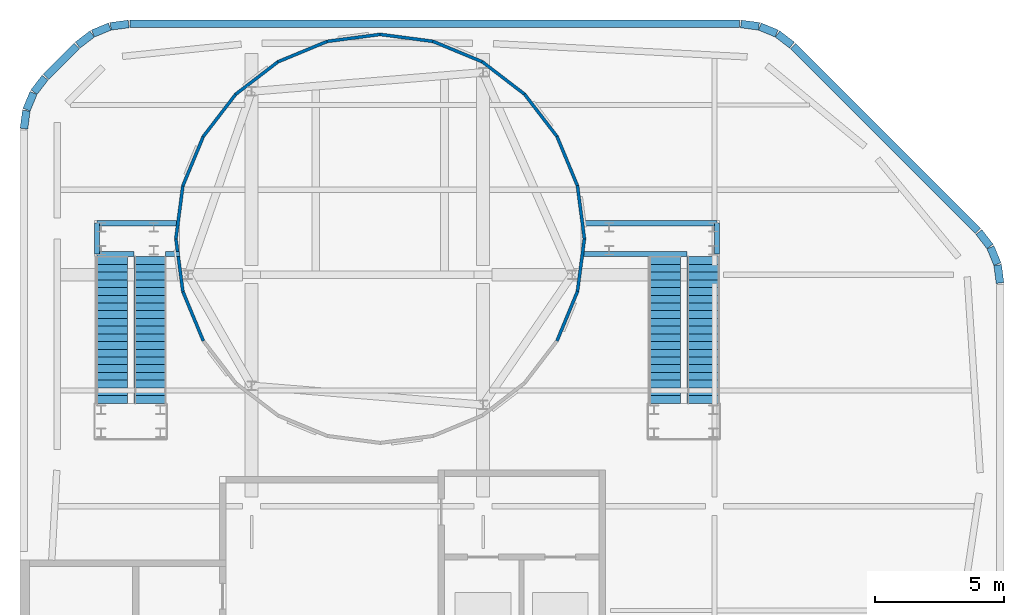
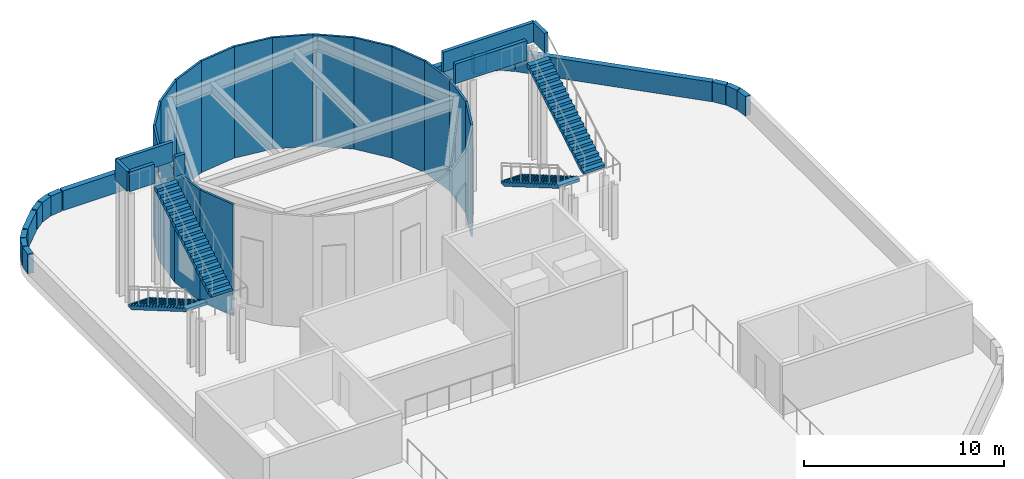
# One storey, part 4 of 6: 38 walls, 4 stair flights, 2 elements without a shape of their own.
"""IFC4 building model written with IfcOpenShell, lengths in metres."""

from ifc_helpers import new_model, si_unit, direction, frame, frame_2d, origin, place, context, subcontext, project, spatial, polyline, rectangle, outline, extrude, material, layer, layer_set, type_object, element, aggregate, save


model = new_model("IFC4")

# Units and contexts
model_context = context("Model", 3, precision=1e-05, world=origin(), true_north=direction((0.0, 1.0)))
body_context = subcontext(model_context, "Body", "Model", "MODEL_VIEW")
ifc_project = project(units=[si_unit("LENGTHUNIT", "METRE"), si_unit("AREAUNIT", "SQUARE_METRE"), si_unit("VOLUMEUNIT", "CUBIC_METRE"), si_unit("PLANEANGLEUNIT", "RADIAN"), si_unit("MASSUNIT", "GRAM", prefix="KILO")], contexts=[model_context])

# Site, building, storey
site_placement = place(None, origin())
site = spatial("IfcSite", under=ifc_project, at=site_placement, CompositionType="ELEMENT")
building_placement = place(site_placement, origin())
building = spatial("IfcBuilding", under=site, at=building_placement, Name="Cinnabar Reach Civic Tower", CompositionType="ELEMENT")
storey_placement = place(building_placement, frame((0.0, 0.0, 298.0)))
storey = spatial("IfcBuildingStorey", under=building, at=storey_placement, Name="Roof", CompositionType="ELEMENT", Elevation=298.0)

# Walls
ifc_material_1 = material(Name="Facing brick with insulated backing", Category="masonry")
ifc_layer_1 = layer(ifc_material_1, 0.3)
ifc_layer_set_1 = layer_set([ifc_layer_1], Name="Facade brick parapet")
wall_type_1 = type_object("IfcWallType", Name="Facade brick parapet", PredefinedType="PARAPET", material=ifc_layer_set_1)
wall_1_placement = place(storey_placement, frame((38.0961, 52.7774, 0.0), z_axis=(0.0, 0.0, 1.0), x_axis=(-0.130542796312, 0.991442675262, 0.0)))
element("IfcWall", 1, at=wall_1_placement, inside=storey, type_object=wall_type_1, Name="Brick parapet", PredefinedType="PARAPET", context=body_context, shape_type="SweptSolid", body=[
    extrude(rectangle(XDim=0.7032, YDim=0.3, at=frame_2d((0.3516, 0.0))), origin(), (0.0, 0.0, 1.0), 1.2),
])
for number, where, z_axis, x_axis, name in (
    (2, (37.9939, 53.5134, 0.0), (0.0, 0.0, 1.0), (-0.382716050285, 0.923866021052, 0.0), "Brick parapet"),
    (3, (37.7047, 54.1978, 0.0), (0.0, 0.0, 1.0), (-0.60874800617, 0.793363639817, 0.0), "Brick parapet"),
):
    element("IfcWall", number, at=place(storey_placement, frame(where, z_axis=z_axis, x_axis=x_axis)), inside=storey, type_object=wall_type_1, Name=name, PredefinedType="PARAPET", context=body_context, shape_type="SweptSolid", body=[
        extrude(rectangle(XDim=0.7031, YDim=0.3, at=frame_2d((0.3515, 0.0))), origin(), (0.0, 0.0, 1.0), 1.2),
    ])
wall_2_placement = place(storey_placement, frame((37.237, 54.8009, 0.0), z_axis=(0.0, 0.0, 1.0), x_axis=(-0.707106781187, 0.707106781187, 0.0)))
element("IfcWall", 4, at=wall_2_placement, inside=storey, type_object=wall_type_1, Name="Brick parapet", PredefinedType="PARAPET", context=body_context, shape_type="SweptSolid", body=[
    extrude(rectangle(XDim=10.1627, YDim=0.3, at=frame_2d((5.0813, 0.0))), origin(), (0.0, 0.0, 1.0), 1.2),
])
for number, where, z_axis, x_axis, name in (
    (5, (30.0056, 62.0267, 0.0), (0.0, 0.0, 1.0), (-0.793363639817, 0.60874800617, 0.0), "Brick parapet"),
    (6, (29.413, 62.4748, 0.0), (0.0, 0.0, 1.0), (-0.923866021052, 0.382716050285, 0.0), "Brick parapet"),
):
    element("IfcWall", number, at=place(storey_placement, frame(where, z_axis=z_axis, x_axis=x_axis)), inside=storey, type_object=wall_type_1, Name=name, PredefinedType="PARAPET", context=body_context, shape_type="SweptSolid", body=[
        extrude(rectangle(XDim=0.7031, YDim=0.3, at=frame_2d((0.3515, 0.0))), origin(), (0.0, 0.0, 1.0), 1.2),
    ])
wall_3_placement = place(storey_placement, frame((28.7246, 62.7543, 0.0), z_axis=(0.0, 0.0, 1.0), x_axis=(-0.991442675262, 0.130542796312, 0.0)))
element("IfcWall", 7, at=wall_3_placement, inside=storey, type_object=wall_type_1, Name="Brick parapet", PredefinedType="PARAPET", context=body_context, shape_type="SweptSolid", body=[
    extrude(rectangle(XDim=0.7032, YDim=0.3, at=frame_2d((0.3516, 0.0))), origin(), (0.0, 0.0, 1.0), 1.2),
])
wall_4_placement = place(storey_placement, frame((27.9674, 62.85, 0.0), z_axis=(0.0, 0.0, 1.0), x_axis=(-1.0, 0.0, 0.0)))
element("IfcWall", 8, at=wall_4_placement, inside=storey, type_object=wall_type_1, Name="Brick parapet", PredefinedType="PARAPET", context=body_context, shape_type="SweptSolid", body=[
    extrude(rectangle(XDim=23.6848, YDim=0.3, at=frame_2d((11.8424, 0.0))), origin(), (0.0, 0.0, 1.0), 1.2),
])
wall_5_placement = place(storey_placement, frame((4.2226, 62.8461, 0.0), z_axis=(0.0, 0.0, 1.0), x_axis=(-0.991442675262, -0.130542796312, 0.0)))
element("IfcWall", 9, at=wall_5_placement, inside=storey, type_object=wall_type_1, Name="Brick parapet", PredefinedType="PARAPET", context=body_context, shape_type="SweptSolid", body=[
    extrude(rectangle(XDim=0.7032, YDim=0.3, at=frame_2d((0.3516, 0.0))), origin(), (0.0, 0.0, 1.0), 1.2),
])
for number, where, z_axis, x_axis, name in (
    (10, (3.4866, 62.7439, 0.0), (0.0, 0.0, 1.0), (-0.923866021052, -0.382716050285, 0.0), "Brick parapet"),
    (11, (2.8022, 62.4547, 0.0), (0.0, 0.0, 1.0), (-0.793363639817, -0.60874800617, 0.0), "Brick parapet"),
):
    element("IfcWall", number, at=place(storey_placement, frame(where, z_axis=z_axis, x_axis=x_axis)), inside=storey, type_object=wall_type_1, Name=name, PredefinedType="PARAPET", context=body_context, shape_type="SweptSolid", body=[
        extrude(rectangle(XDim=0.7031, YDim=0.3, at=frame_2d((0.3515, 0.0))), origin(), (0.0, 0.0, 1.0), 1.2),
    ])
wall_6_placement = place(storey_placement, frame((2.1991, 61.987, 0.0), z_axis=(0.0, 0.0, 1.0), x_axis=(-0.707106781187, -0.707106781187, 0.0)))
element("IfcWall", 12, at=wall_6_placement, inside=storey, type_object=wall_type_1, Name="Brick parapet", PredefinedType="PARAPET", context=body_context, shape_type="SweptSolid", body=[
    extrude(rectangle(XDim=1.6774, YDim=0.3, at=frame_2d((0.8387, 0.0))), origin(), (0.0, 0.0, 1.0), 1.2),
])
for number, where, z_axis, x_axis, name in (
    (13, (0.9733, 60.7556, 0.0), (0.0, 0.0, 1.0), (-0.60874800617, -0.793363639817, 0.0), "Brick parapet"),
    (14, (0.5252, 60.163, 0.0), (0.0, 0.0, 1.0), (-0.382716050285, -0.923866021052, 0.0), "Brick parapet"),
):
    element("IfcWall", number, at=place(storey_placement, frame(where, z_axis=z_axis, x_axis=x_axis)), inside=storey, type_object=wall_type_1, Name=name, PredefinedType="PARAPET", context=body_context, shape_type="SweptSolid", body=[
        extrude(rectangle(XDim=0.7031, YDim=0.3, at=frame_2d((0.3515, 0.0))), origin(), (0.0, 0.0, 1.0), 1.2),
    ])
wall_7_placement = place(storey_placement, frame((0.2457, 59.4746, 0.0), z_axis=(0.0, 0.0, 1.0), x_axis=(-0.130542796312, -0.991442675262, 0.0)))
element("IfcWall", 15, at=wall_7_placement, inside=storey, type_object=wall_type_1, Name="Brick parapet", PredefinedType="PARAPET", context=body_context, shape_type="SweptSolid", body=[
    extrude(rectangle(XDim=0.7032, YDim=0.3, at=frame_2d((0.3516, 0.0))), origin(), (0.0, 0.0, 1.0), 1.2),
])
ifc_material_2 = material(Name="Aluminium rainscreen cladding", Category="aluminium")
ifc_layer_2 = layer(ifc_material_2, 0.12)
ifc_layer_set_2 = layer_set([ifc_layer_2], Name="Facade plant drum cladding")
wall_type_2 = type_object("IfcWallType", Name="Facade plant drum cladding", PredefinedType="STANDARD", material=ifc_layer_set_2)
for number, where, z_axis, x_axis, name in (
    (16, (21.9405, 54.4922, 0.0), (0.0, 0.0, 1.0), (-0.130532548224, 0.991444024569, 0.0), "Plant drum cladding"),
    (17, (21.672, 56.5476, 0.0), (0.0, 0.0, 1.0), (-0.382690116001, 0.92387676403, 0.0), "Plant drum cladding"),
):
    element("IfcWall", number, at=place(storey_placement, frame(where, z_axis=z_axis, x_axis=x_axis)), inside=storey, type_object=wall_type_2, Name=name, PredefinedType="STANDARD", context=body_context, shape_type="SweptSolid", body=[
        extrude(rectangle(XDim=2.0884, YDim=0.12, at=frame_2d((1.0442, 0.0))), origin(), (0.0, 0.0, 1.0), 6.8),
    ])
for number, where, z_axis, x_axis, name in (
    (18, (20.8806, 58.4635, 0.0), (0.0, 0.0, 1.0), (-0.60875921267, 0.793355040943, 0.0), "Plant drum cladding"),
    (19, (19.6203, 60.1093, 0.0), (0.0, 0.0, 1.0), (-0.793355040943, 0.60875921267, 0.0), "Plant drum cladding"),
):
    element("IfcWall", number, at=place(storey_placement, frame(where, z_axis=z_axis, x_axis=x_axis)), inside=storey, type_object=wall_type_2, Name=name, PredefinedType="STANDARD", context=body_context, shape_type="SweptSolid", body=[
        extrude(rectangle(XDim=2.0883, YDim=0.12, at=frame_2d((1.0441, 0.0))), origin(), (0.0, 0.0, 1.0), 6.8),
    ])
for number, where, z_axis, x_axis, name in (
    (20, (17.977, 61.3728, 0.0), (0.0, 0.0, 1.0), (-0.92387676403, 0.382690116001, 0.0), "Plant drum cladding"),
    (21, (16.0627, 62.1679, 0.0), (0.0, 0.0, 1.0), (-0.991444024569, 0.130532548224, 0.0), "Plant drum cladding"),
    (22, (14.0078, 62.4405, 0.0), (0.0, 0.0, 1.0), (-0.991444024569, -0.130532548224, 0.0), "Plant drum cladding"),
    (23, (11.9524, 62.172, 0.0), (0.0, 0.0, 1.0), (-0.92387676403, -0.382690116001, 0.0), "Plant drum cladding"),
):
    element("IfcWall", number, at=place(storey_placement, frame(where, z_axis=z_axis, x_axis=x_axis)), inside=storey, type_object=wall_type_2, Name=name, PredefinedType="STANDARD", context=body_context, shape_type="SweptSolid", body=[
        extrude(rectangle(XDim=2.0884, YDim=0.12, at=frame_2d((1.0442, 0.0))), origin(), (0.0, 0.0, 1.0), 6.8),
    ])
for number, where, z_axis, x_axis, name in (
    (24, (10.0365, 61.3806, 0.0), (0.0, 0.0, 1.0), (-0.793355040943, -0.60875921267, 0.0), "Plant drum cladding"),
    (25, (8.3907, 60.1203, 0.0), (0.0, 0.0, 1.0), (-0.60875921267, -0.793355040943, 0.0), "Plant drum cladding"),
):
    element("IfcWall", number, at=place(storey_placement, frame(where, z_axis=z_axis, x_axis=x_axis)), inside=storey, type_object=wall_type_2, Name=name, PredefinedType="STANDARD", context=body_context, shape_type="SweptSolid", body=[
        extrude(rectangle(XDim=2.0883, YDim=0.12, at=frame_2d((1.0441, 0.0))), origin(), (0.0, 0.0, 1.0), 6.8),
    ])
for number, where, z_axis, x_axis, name in (
    (26, (7.1272, 58.477, 0.0), (0.0, 0.0, 1.0), (-0.382690116001, -0.92387676403, 0.0), "Plant drum cladding"),
    (27, (6.3321, 56.5627, 0.0), (0.0, 0.0, 1.0), (-0.130532548224, -0.991444024569, 0.0), "Plant drum cladding"),
    (28, (6.0595, 54.5078, 0.0), (0.0, 0.0, 1.0), (0.130532548224, -0.991444024569, 0.0), "Plant drum cladding"),
    (29, (6.328, 52.4524, 0.0), (0.0, 0.0, 1.0), (0.382690116001, -0.92387676403, 0.0), "Plant drum cladding"),
    (30, (20.8728, 50.523, 0.0), (0.0, 0.0, 1.0), (0.382690116001, 0.92387676403, 0.0), "Plant drum cladding"),
    (31, (21.6679, 52.4373, 0.0), (0.0, 0.0, 1.0), (0.130532548224, 0.991444024569, 0.0), "Plant drum cladding"),
):
    element("IfcWall", number, at=place(storey_placement, frame(where, z_axis=z_axis, x_axis=x_axis)), inside=storey, type_object=wall_type_2, Name=name, PredefinedType="STANDARD", context=body_context, shape_type="SweptSolid", body=[
        extrude(rectangle(XDim=2.0884, YDim=0.12, at=frame_2d((1.0442, 0.0))), origin(), (0.0, 0.0, 1.0), 6.8),
    ])
ifc_material_3 = material(Name="Concrete C40/50", Category="concrete")
ifc_layer_3 = layer(ifc_material_3, 0.2)
ifc_layer_set_3 = layer_set([ifc_layer_3], Name="T1 drum roof parapet 200")
wall_type_3 = type_object("IfcWallType", Name="T1 drum roof parapet 200", PredefinedType="PARAPET", material=ifc_layer_set_3)
wall_8_placement = place(storey_placement, frame((6.2, 55.1, 7.0), z_axis=(0.0, 0.0, 1.0), x_axis=(-1.0, 0.0, 0.0)))
element("IfcWall", 32, at=wall_8_placement, inside=storey, type_object=wall_type_3, Name="Roof top landing parapet", PredefinedType="PARAPET", context=body_context, shape_type="SweptSolid", body=[
    extrude(rectangle(XDim=3.2, YDim=0.2, at=frame_2d((1.6, 0.0))), origin(), (0.0, 0.0, 1.0), 1.2),
])
wall_9_placement = place(storey_placement, frame((3.0, 55.1, 7.0), z_axis=(0.0, 0.0, 1.0), x_axis=(0.0, -1.0, 0.0)))
element("IfcWall", 33, at=wall_9_placement, inside=storey, type_object=wall_type_3, Name="Roof top landing parapet", PredefinedType="PARAPET", context=body_context, shape_type="SweptSolid", body=[
    extrude(rectangle(XDim=1.2, YDim=0.2, at=frame_2d((0.6, 0.0))), origin(), (0.0, 0.0, 1.0), 1.2),
])
wall_10_placement = place(storey_placement, frame((3.0, 53.9, 7.0), z_axis=(0.0, 0.0, 1.0), x_axis=(1.0, 0.0, 0.0)))
element("IfcWall", 34, at=wall_10_placement, inside=storey, type_object=wall_type_3, Name="Roof top landing parapet", PredefinedType="PARAPET", context=body_context, shape_type="SweptSolid", body=[
    extrude(rectangle(XDim=1.425, YDim=0.2, at=frame_2d((0.7125, 0.0))), origin(), (0.0, 0.0, 1.0), 1.2),
])
wall_11_placement = place(storey_placement, frame((5.65, 53.9, 7.0), z_axis=(0.0, 0.0, 1.0), x_axis=(1.0, 0.0, 0.0)))
element("IfcWall", 35, at=wall_11_placement, inside=storey, type_object=wall_type_3, Name="Roof top landing parapet", PredefinedType="PARAPET", context=body_context, shape_type="SweptSolid", body=[
    extrude(rectangle(XDim=0.55, YDim=0.2, at=frame_2d((0.275, 0.0))), origin(), (0.0, 0.0, 1.0), 1.2),
])
wall_12_placement = place(storey_placement, frame((21.8, 55.1, 7.0), z_axis=(0.0, 0.0, 1.0), x_axis=(1.0, 0.0, 0.0)))
element("IfcWall", 36, at=wall_12_placement, inside=storey, type_object=wall_type_3, Name="Roof top landing parapet", PredefinedType="PARAPET", context=body_context, shape_type="SweptSolid", body=[
    extrude(rectangle(XDim=5.3, YDim=0.2, at=frame_2d((2.65, 0.0))), origin(), (0.0, 0.0, 1.0), 1.2),
])
wall_13_placement = place(storey_placement, frame((27.1, 55.1, 7.0), z_axis=(0.0, 0.0, 1.0), x_axis=(0.0, -1.0, 0.0)))
element("IfcWall", 37, at=wall_13_placement, inside=storey, type_object=wall_type_3, Name="Roof top landing parapet", PredefinedType="PARAPET", context=body_context, shape_type="SweptSolid", body=[
    extrude(rectangle(XDim=1.2, YDim=0.2, at=frame_2d((0.6, 0.0))), origin(), (0.0, 0.0, 1.0), 1.2),
])
wall_14_placement = place(storey_placement, frame((25.925, 53.9, 7.0), z_axis=(0.0, 0.0, 1.0), x_axis=(-1.0, 0.0, 0.0)))
element("IfcWall", 38, at=wall_14_placement, inside=storey, type_object=wall_type_3, Name="Roof top landing parapet", PredefinedType="PARAPET", context=body_context, shape_type="SweptSolid", body=[
    extrude(rectangle(XDim=4.125, YDim=0.2, at=frame_2d((2.0625, 0.0))), origin(), (0.0, 0.0, 1.0), 1.2),
])

# Stair, stair flights
stair_type = type_object("IfcStairType", Name="T1 Exit stair, half-turn", PredefinedType="HALF_TURN_STAIR", material=ifc_material_3)
stair_1_placement = place(storey_placement, origin())
stair_1 = element("IfcStair", 39, at=stair_1_placement, inside=storey, type_object=stair_type, Name="Stair T1-RS1", PredefinedType="HALF_TURN_STAIR")
stair_flight_type = type_object("IfcStairFlightType", Name="T1 Stair flight, concrete", PredefinedType="STRAIGHT", material=ifc_material_3)
stair_flight_1_placement = place(storey_placement, frame((3.5625, 53.8, 0.0), z_axis=(0.0, 0.0, 1.0), x_axis=(0.0, -1.0, 0.0)))
stair_flight_1 = element("IfcStairFlight", 40, at=stair_flight_1_placement, type_object=stair_flight_type, Name="T1-RS1 flight 1", NumberOfRisers=20, NumberOfTreads=19, PredefinedType="STRAIGHT", RiserHeight=0.175, TreadLength=0.3, context=body_context, shape_type="SweptSolid", body=[
    extrude(outline(polyline([(0.0, 0.0), (0.0, 0.175), (0.3, 0.175), (0.3, 0.35), (0.6, 0.35), (0.6, 0.525), (0.9, 0.525), (0.9, 0.7), (1.2, 0.7), (1.2, 0.875), (1.5, 0.875), (1.5, 1.05), (1.8, 1.05), (1.8, 1.225), (2.1, 1.225), (2.1, 1.4), (2.4, 1.4), (2.4, 1.575), (2.7, 1.575), (2.7, 1.75), (3.0, 1.75), (3.0, 1.925), (3.3, 1.925), (3.3, 2.1), (3.6, 2.1), (3.6, 2.275), (3.9, 2.275), (3.9, 2.45), (4.2, 2.45), (4.2, 2.625), (4.5, 2.625), (4.5, 2.8), (4.8, 2.8), (4.8, 2.975), (5.1, 2.975), (5.1, 3.15), (5.4, 3.15), (5.4, 3.325), (5.7, 3.325), (5.7, 3.5), (5.7, 3.1513), (0.2977, 0.0), (0.0, 0.0)])), frame((0.0, 0.6125, 0.0), z_axis=(0.0, -1.0, 0.0), x_axis=(1.0, 0.0, 0.0)), (0.0, 0.0, 1.0), 1.225),
])
stair_flight_2_placement = place(storey_placement, frame((5.0375, 48.1, 3.5), z_axis=(0.0, 0.0, 1.0), x_axis=(0.0, 1.0, 0.0)))
stair_flight_2 = element("IfcStairFlight", 41, at=stair_flight_2_placement, type_object=stair_flight_type, Name="T1-RS1 flight 2", NumberOfRisers=20, NumberOfTreads=19, PredefinedType="STRAIGHT", RiserHeight=0.175, TreadLength=0.3, context=body_context, shape_type="SweptSolid", body=[
    extrude(outline(polyline([(0.0, 0.0), (0.0, 0.175), (0.3, 0.175), (0.3, 0.35), (0.6, 0.35), (0.6, 0.525), (0.9, 0.525), (0.9, 0.7), (1.2, 0.7), (1.2, 0.875), (1.5, 0.875), (1.5, 1.05), (1.8, 1.05), (1.8, 1.225), (2.1, 1.225), (2.1, 1.4), (2.4, 1.4), (2.4, 1.575), (2.7, 1.575), (2.7, 1.75), (3.0, 1.75), (3.0, 1.925), (3.3, 1.925), (3.3, 2.1), (3.6, 2.1), (3.6, 2.275), (3.9, 2.275), (3.9, 2.45), (4.2, 2.45), (4.2, 2.625), (4.5, 2.625), (4.5, 2.8), (4.8, 2.8), (4.8, 2.975), (5.1, 2.975), (5.1, 3.15), (5.4, 3.15), (5.4, 3.325), (5.7, 3.325), (5.7, 3.5), (5.7, 3.1513), (0.2977, 0.0), (0.0, 0.0)])), frame((0.0, 0.6125, 0.0), z_axis=(0.0, -1.0, 0.0), x_axis=(1.0, 0.0, 0.0)), (0.0, 0.0, 1.0), 1.225),
])
aggregate(stair_1, [stair_flight_1, stair_flight_2])

stair_2_placement = place(storey_placement, origin())
stair_2 = element("IfcStair", 42, at=stair_2_placement, inside=storey, type_object=stair_type, Name="Stair T1-RS2", PredefinedType="HALF_TURN_STAIR")
stair_flight_3_placement = place(storey_placement, frame((25.0625, 53.8, 0.0), z_axis=(0.0, 0.0, 1.0), x_axis=(0.0, -1.0, 0.0)))
stair_flight_3 = element("IfcStairFlight", 43, at=stair_flight_3_placement, type_object=stair_flight_type, Name="T1-RS2 flight 1", NumberOfRisers=20, NumberOfTreads=19, PredefinedType="STRAIGHT", RiserHeight=0.175, TreadLength=0.3, context=body_context, shape_type="SweptSolid", body=[
    extrude(outline(polyline([(0.0, 0.0), (0.0, 0.175), (0.3, 0.175), (0.3, 0.35), (0.6, 0.35), (0.6, 0.525), (0.9, 0.525), (0.9, 0.7), (1.2, 0.7), (1.2, 0.875), (1.5, 0.875), (1.5, 1.05), (1.8, 1.05), (1.8, 1.225), (2.1, 1.225), (2.1, 1.4), (2.4, 1.4), (2.4, 1.575), (2.7, 1.575), (2.7, 1.75), (3.0, 1.75), (3.0, 1.925), (3.3, 1.925), (3.3, 2.1), (3.6, 2.1), (3.6, 2.275), (3.9, 2.275), (3.9, 2.45), (4.2, 2.45), (4.2, 2.625), (4.5, 2.625), (4.5, 2.8), (4.8, 2.8), (4.8, 2.975), (5.1, 2.975), (5.1, 3.15), (5.4, 3.15), (5.4, 3.325), (5.7, 3.325), (5.7, 3.5), (5.7, 3.1513), (0.2977, 0.0), (0.0, 0.0)])), frame((0.0, 0.6125, 0.0), z_axis=(0.0, -1.0, 0.0), x_axis=(1.0, 0.0, 0.0)), (0.0, 0.0, 1.0), 1.225),
])
stair_flight_4_placement = place(storey_placement, frame((26.5375, 48.1, 3.5), z_axis=(0.0, 0.0, 1.0), x_axis=(0.0, 1.0, 0.0)))
stair_flight_4 = element("IfcStairFlight", 44, at=stair_flight_4_placement, type_object=stair_flight_type, Name="T1-RS2 flight 2", NumberOfRisers=20, NumberOfTreads=19, PredefinedType="STRAIGHT", RiserHeight=0.175, TreadLength=0.3, context=body_context, shape_type="SweptSolid", body=[
    extrude(outline(polyline([(0.0, 0.0), (0.0, 0.175), (0.3, 0.175), (0.3, 0.35), (0.6, 0.35), (0.6, 0.525), (0.9, 0.525), (0.9, 0.7), (1.2, 0.7), (1.2, 0.875), (1.5, 0.875), (1.5, 1.05), (1.8, 1.05), (1.8, 1.225), (2.1, 1.225), (2.1, 1.4), (2.4, 1.4), (2.4, 1.575), (2.7, 1.575), (2.7, 1.75), (3.0, 1.75), (3.0, 1.925), (3.3, 1.925), (3.3, 2.1), (3.6, 2.1), (3.6, 2.275), (3.9, 2.275), (3.9, 2.45), (4.2, 2.45), (4.2, 2.625), (4.5, 2.625), (4.5, 2.8), (4.8, 2.8), (4.8, 2.975), (5.1, 2.975), (5.1, 3.15), (5.4, 3.15), (5.4, 3.325), (5.7, 3.325), (5.7, 3.5), (5.7, 3.1513), (0.2977, 0.0), (0.0, 0.0)])), frame((0.0, 0.6125, 0.0), z_axis=(0.0, -1.0, 0.0), x_axis=(1.0, 0.0, 0.0)), (0.0, 0.0, 1.0), 1.225),
])
aggregate(stair_2, [stair_flight_3, stair_flight_4])

save(model, "model.ifc")
